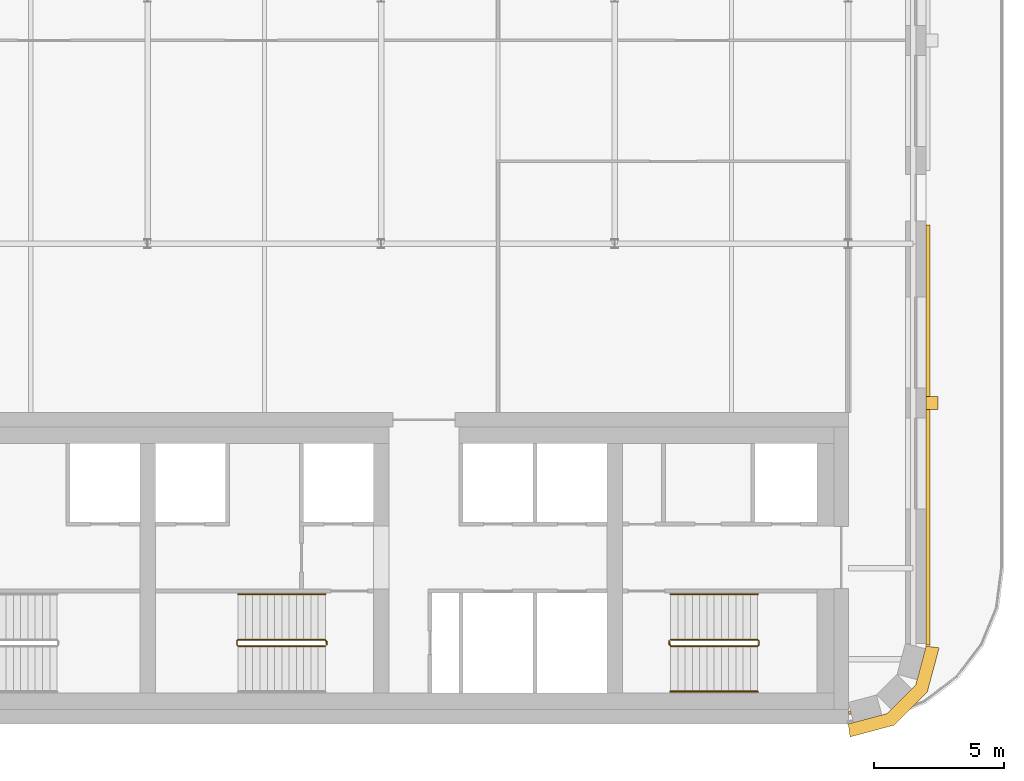
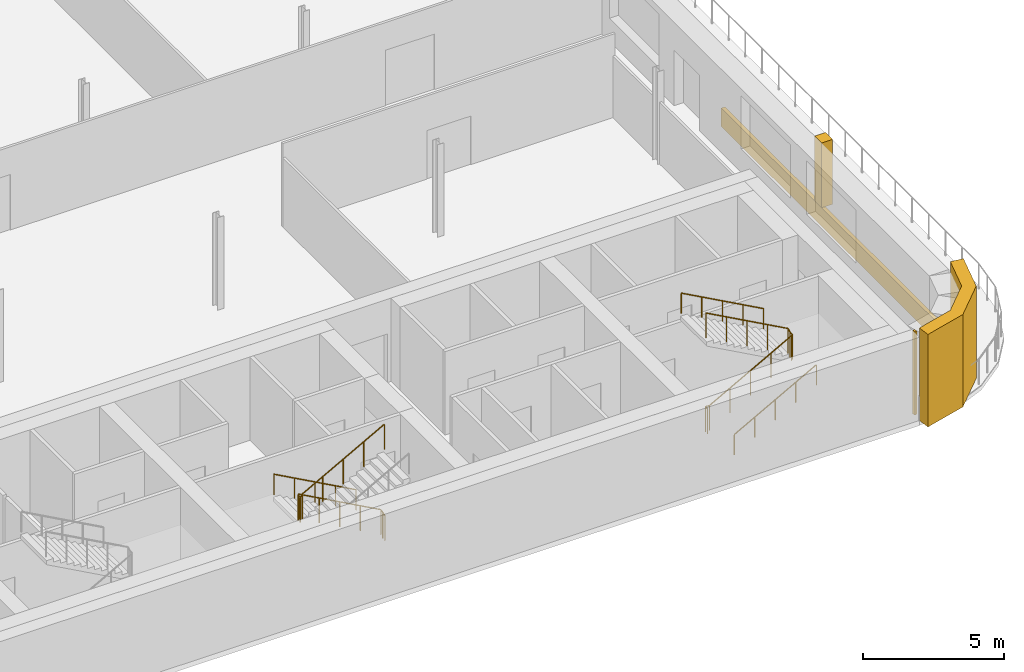
# One storey, part 12 of 13: 5 railings, 4 coverings.
"""IFC4 building model written with IfcOpenShell, lengths in metres."""

from ifc_helpers import new_model, si_unit, direction, frame, origin, origin_2d, place, context, subcontext, project, spatial, polyline, rectangle, circle, outline, extrude, material, layer, layer_set, type_object, element, save


model = new_model("IFC4")

# Units and contexts
model_context = context("Model", 3, precision=1e-05, world=origin(), true_north=direction((0.0, 1.0)))
body_context = subcontext(model_context, "Body", "Model", "MODEL_VIEW")
ifc_project = project(units=[si_unit("LENGTHUNIT", "METRE"), si_unit("AREAUNIT", "SQUARE_METRE"), si_unit("VOLUMEUNIT", "CUBIC_METRE"), si_unit("PLANEANGLEUNIT", "RADIAN"), si_unit("MASSUNIT", "GRAM", prefix="KILO")], contexts=[model_context])

# Site, building, storey
site_placement = place(None, origin())
site = spatial("IfcSite", under=ifc_project, at=site_placement, CompositionType="ELEMENT")
building_placement = place(site_placement, origin())
building = spatial("IfcBuilding", under=site, at=building_placement, Name="Zellij Exchange Tower", CompositionType="ELEMENT")
storey_placement = place(building_placement, frame((0.0, 0.0, 292.5)))
storey = spatial("IfcBuildingStorey", under=building, at=storey_placement, Name="L69", CompositionType="ELEMENT", Elevation=292.5)

# Railings
ifc_material_1 = material(Name="Stainless steel", Category="steel")
railing_type_1 = type_object("IfcRailingType", Name="CORE-RG stair guard", PredefinedType="GUARDRAIL", material=ifc_material_1)
railing_1_placement = place(storey_placement, frame((6.89990234375, -10.800048828125, 0.0)))
element("IfcRailing", 1, at=railing_1_placement, inside=storey, type_object=railing_type_1, Name="ST3 stair guard L69", PredefinedType="GUARDRAIL", context=body_context, shape_type="SweptSolid", body=[
    extrude(circle(Radius=0.02392578125, at=origin_2d()), frame((0.0, 0.0, 1.076171875), z_axis=(0.0, -1.0, 0.0), x_axis=(1.0, 0.0, 0.0)), (0.0, 0.0, 1.0), 0.14990234375),
    extrude(circle(Radius=0.02392578125, at=origin_2d()), frame((0.0, -0.14990234375, 1.076171875), z_axis=(-0.193691321961, 0.777613689637, 0.598164376644), x_axis=(-0.970351222016, -0.241699205484, 0.0)), (0.0, 0.0, 1.0), 0.257080078125),
    extrude(circle(Radius=0.02392578125, at=origin_2d()), frame((-0.0498046875, 0.050048828125, 1.22998046875), z_axis=(-0.876421534553, 0.0, 0.481544695509), x_axis=(0.0, -1.0, 0.0)), (0.0, 0.0, 1.0), 3.833984375),
    extrude(circle(Radius=0.02392578125, at=origin_2d()), frame((-3.409912109375, 0.050048828125, 3.076171875), z_axis=(-0.707106781187, -0.707106781187, 0.0), x_axis=(0.707106781187, -0.707106781187, 0.0)), (0.0, 0.0, 1.0), 0.07080078125),
    extrude(circle(Radius=0.02392578125, at=origin_2d()), frame((-3.4599609375, 0.0, 3.076171875), z_axis=(0.0, -1.0, 0.0), x_axis=(1.0, 0.0, 0.0)), (0.0, 0.0, 1.0), 0.14990234375),
    extrude(circle(Radius=0.02392578125, at=origin_2d()), frame((-3.4599609375, -0.14990234375, 3.076171875), z_axis=(0.295599637079, -0.295599637079, 0.908428152975), x_axis=(0.707106781187, 0.707106781187, 0.0)), (0.0, 0.0, 1.0), 0.16943359375),
    extrude(circle(Radius=0.02392578125, at=origin_2d()), frame((-3.409912109375, -0.199951171875, 3.22998046875), z_axis=(0.876421534553, 0.0, 0.481544695509), x_axis=(0.0, 1.0, 0.0)), (0.0, 0.0, 1.0), 3.833984375),
    extrude(circle(Radius=0.02099609375, at=origin_2d()), origin(), (0.0, 0.0, 1.0), 1.052001953125),
    extrude(circle(Radius=0.02099609375, at=origin_2d()), frame((0.0, -0.14990234375, 0.0)), (0.0, 0.0, 1.0), 1.052001953125),
    extrude(circle(Radius=0.02099609375, at=origin_2d()), frame((-0.0498046875, 0.050048828125, 0.15380859375)), (0.0, 0.0, 1.0), 1.052001953125),
    extrude(circle(Radius=0.02099609375, at=origin_2d()), frame((-0.889892578125, 0.050048828125, 0.615234375)), (0.0, 0.0, 1.0), 1.052001953125),
    extrude(circle(Radius=0.02099609375, at=origin_2d()), frame((-1.72998046875, 0.050048828125, 1.076904296875)), (0.0, 0.0, 1.0), 1.052001953125),
    extrude(circle(Radius=0.02099609375, at=origin_2d()), frame((-2.56982421875, 0.050048828125, 1.53857421875)), (0.0, 0.0, 1.0), 1.052001953125),
    extrude(circle(Radius=0.02099609375, at=origin_2d()), frame((-3.409912109375, 0.050048828125, 2.0)), (0.0, 0.0, 1.0), 1.052001953125),
    extrude(circle(Radius=0.02099609375, at=origin_2d()), frame((-3.4599609375, 0.0, 2.0)), (0.0, 0.0, 1.0), 1.052001953125),
    extrude(circle(Radius=0.02099609375, at=origin_2d()), frame((-3.4599609375, -0.14990234375, 2.0)), (0.0, 0.0, 1.0), 1.052001953125),
    extrude(circle(Radius=0.02099609375, at=origin_2d()), frame((-3.409912109375, -0.199951171875, 2.15380859375)), (0.0, 0.0, 1.0), 1.052001953125),
    extrude(circle(Radius=0.02099609375, at=origin_2d()), frame((-2.56982421875, -0.199951171875, 2.615234375)), (0.0, 0.0, 1.0), 1.052001953125),
    extrude(circle(Radius=0.02099609375, at=origin_2d()), frame((-1.72998046875, -0.199951171875, 3.076904296875)), (0.0, 0.0, 1.0), 1.052001953125),
    extrude(circle(Radius=0.02099609375, at=origin_2d()), frame((-0.889892578125, -0.199951171875, 3.53857421875)), (0.0, 0.0, 1.0), 1.052001953125),
    extrude(circle(Radius=0.02099609375, at=origin_2d()), frame((-0.0498046875, -0.199951171875, 4.0)), (0.0, 0.0, 1.0), 1.052001953125),
])
railing_2_placement = place(storey_placement, frame((20.10009765625, -10.949951171875, 0.0)))
element("IfcRailing", 2, at=railing_2_placement, inside=storey, type_object=railing_type_1, Name="ST4 stair guard L69", PredefinedType="GUARDRAIL", context=body_context, shape_type="SweptSolid", body=[
    extrude(circle(Radius=0.02392578125, at=origin_2d()), frame((0.0, 0.0, 1.076171875), z_axis=(0.0, 1.0, 0.0), x_axis=(-1.0, 0.0, 0.0)), (0.0, 0.0, 1.0), 0.14990234375),
    extrude(circle(Radius=0.02392578125, at=origin_2d()), frame((0.0, 0.14990234375, 1.076171875), z_axis=(0.193691321961, -0.777613689637, 0.598164376644), x_axis=(0.970351222016, 0.241699205484, 0.0)), (0.0, 0.0, 1.0), 0.257080078125),
    extrude(circle(Radius=0.02392578125, at=origin_2d()), frame((0.0498046875, -0.050048828125, 1.22998046875), z_axis=(0.876421534553, 0.0, 0.481544695509), x_axis=(0.0, 1.0, 0.0)), (0.0, 0.0, 1.0), 3.833984375),
    extrude(circle(Radius=0.02392578125, at=origin_2d()), frame((3.409912109375, -0.050048828125, 3.076171875), z_axis=(0.707106781187, 0.707106781187, 0.0), x_axis=(-0.707106781187, 0.707106781187, 0.0)), (0.0, 0.0, 1.0), 0.07080078125),
    extrude(circle(Radius=0.02392578125, at=origin_2d()), frame((3.4599609375, 0.0, 3.076171875), z_axis=(0.0, 1.0, 0.0), x_axis=(-1.0, 0.0, 0.0)), (0.0, 0.0, 1.0), 0.14990234375),
    extrude(circle(Radius=0.02392578125, at=origin_2d()), frame((3.4599609375, 0.14990234375, 3.076171875), z_axis=(-0.295599637079, 0.295599637079, 0.908428152975), x_axis=(-0.707106781187, -0.707106781187, 0.0)), (0.0, 0.0, 1.0), 0.16943359375),
    extrude(circle(Radius=0.02392578125, at=origin_2d()), frame((3.409912109375, 0.199951171875, 3.22998046875), z_axis=(-0.876421534553, 0.0, 0.481544695509), x_axis=(0.0, -1.0, 0.0)), (0.0, 0.0, 1.0), 3.833984375),
    extrude(circle(Radius=0.02099609375, at=origin_2d()), origin(), (0.0, 0.0, 1.0), 1.052001953125),
    extrude(circle(Radius=0.02099609375, at=origin_2d()), frame((0.0, 0.14990234375, 0.0)), (0.0, 0.0, 1.0), 1.052001953125),
    extrude(circle(Radius=0.02099609375, at=origin_2d()), frame((0.0498046875, -0.050048828125, 0.15380859375)), (0.0, 0.0, 1.0), 1.052001953125),
    extrude(circle(Radius=0.02099609375, at=origin_2d()), frame((0.889892578125, -0.050048828125, 0.615234375)), (0.0, 0.0, 1.0), 1.052001953125),
    extrude(circle(Radius=0.02099609375, at=origin_2d()), frame((1.72998046875, -0.050048828125, 1.076904296875)), (0.0, 0.0, 1.0), 1.052001953125),
    extrude(circle(Radius=0.02099609375, at=origin_2d()), frame((2.56982421875, -0.050048828125, 1.53857421875)), (0.0, 0.0, 1.0), 1.052001953125),
    extrude(circle(Radius=0.02099609375, at=origin_2d()), frame((3.409912109375, -0.050048828125, 2.0)), (0.0, 0.0, 1.0), 1.052001953125),
    extrude(circle(Radius=0.02099609375, at=origin_2d()), frame((3.4599609375, 0.0, 2.0)), (0.0, 0.0, 1.0), 1.052001953125),
    extrude(circle(Radius=0.02099609375, at=origin_2d()), frame((3.4599609375, 0.14990234375, 2.0)), (0.0, 0.0, 1.0), 1.052001953125),
    extrude(circle(Radius=0.02099609375, at=origin_2d()), frame((3.409912109375, 0.199951171875, 2.15380859375)), (0.0, 0.0, 1.0), 1.052001953125),
    extrude(circle(Radius=0.02099609375, at=origin_2d()), frame((2.56982421875, 0.199951171875, 2.615234375)), (0.0, 0.0, 1.0), 1.052001953125),
    extrude(circle(Radius=0.02099609375, at=origin_2d()), frame((1.72998046875, 0.199951171875, 3.076904296875)), (0.0, 0.0, 1.0), 1.052001953125),
    extrude(circle(Radius=0.02099609375, at=origin_2d()), frame((0.889892578125, 0.199951171875, 3.53857421875)), (0.0, 0.0, 1.0), 1.052001953125),
    extrude(circle(Radius=0.02099609375, at=origin_2d()), frame((0.0498046875, 0.199951171875, 4.0)), (0.0, 0.0, 1.0), 1.052001953125),
])
railing_type_2 = type_object("IfcRailingType", Name="CORE-RH stair handrail", PredefinedType="HANDRAIL", material=ifc_material_1)
railing_3_placement = place(storey_placement, frame((6.85009765625, -9.0, 0.15380859375)))
element("IfcRailing", 3, at=railing_3_placement, inside=storey, type_object=railing_type_2, Name="ST3 stair handrail L69", PredefinedType="HANDRAIL", context=body_context, shape_type="SweptSolid", body=[
    extrude(circle(Radius=0.02392578125, at=origin_2d()), frame((0.0, 0.0, 0.8759765625), z_axis=(-0.876421534553, 0.0, 0.481544695509), x_axis=(0.0, -1.0, 0.0)), (0.0, 0.0, 1.0), 3.833984375),
    extrude(circle(Radius=0.02099609375, at=origin_2d()), origin(), (0.0, 0.0, 1.0), 0.851806640625),
    extrude(circle(Radius=0.02099609375, at=origin_2d()), frame((-0.840087890625, 0.0, 0.46142578125)), (0.0, 0.0, 1.0), 0.851806640625),
    extrude(circle(Radius=0.02099609375, at=origin_2d()), frame((-1.68017578125, 0.0, 0.923095703125)), (0.0, 0.0, 1.0), 0.851806640625),
    extrude(circle(Radius=0.02099609375, at=origin_2d()), frame((-2.52001953125, 0.0, 1.384765625)), (0.0, 0.0, 1.0), 0.851806640625),
    extrude(circle(Radius=0.02099609375, at=origin_2d()), frame((-3.360107421875, 0.0, 1.84619140625)), (0.0, 0.0, 1.0), 0.851806640625),
])
railing_4_placement = place(storey_placement, frame((20.14990234375, -12.75, 0.15380859375)))
element("IfcRailing", 4, at=railing_4_placement, inside=storey, type_object=railing_type_2, Name="ST4 stair handrail L69", PredefinedType="HANDRAIL", context=body_context, shape_type="SweptSolid", body=[
    extrude(circle(Radius=0.02392578125, at=origin_2d()), frame((0.0, 0.0, 0.8759765625), z_axis=(0.876421534553, 0.0, 0.481544695509), x_axis=(0.0, 1.0, 0.0)), (0.0, 0.0, 1.0), 3.833984375),
    extrude(circle(Radius=0.02099609375, at=origin_2d()), origin(), (0.0, 0.0, 1.0), 0.851806640625),
    extrude(circle(Radius=0.02099609375, at=origin_2d()), frame((0.840087890625, 0.0, 0.46142578125)), (0.0, 0.0, 1.0), 0.851806640625),
    extrude(circle(Radius=0.02099609375, at=origin_2d()), frame((1.68017578125, 0.0, 0.923095703125)), (0.0, 0.0, 1.0), 0.851806640625),
    extrude(circle(Radius=0.02099609375, at=origin_2d()), frame((2.52001953125, 0.0, 1.384765625)), (0.0, 0.0, 1.0), 0.851806640625),
    extrude(circle(Radius=0.02099609375, at=origin_2d()), frame((3.360107421875, 0.0, 1.84619140625)), (0.0, 0.0, 1.0), 0.851806640625),
])
railing_5_placement = place(storey_placement, frame((23.510009765625, -9.0, 2.15380859375)))
element("IfcRailing", 5, at=railing_5_placement, inside=storey, type_object=railing_type_2, Name="ST4 stair handrail L69", PredefinedType="HANDRAIL", context=body_context, shape_type="SweptSolid", body=[
    extrude(circle(Radius=0.02392578125, at=origin_2d()), frame((0.0, 0.0, 0.8759765625), z_axis=(-0.876421534553, 0.0, 0.481544695509), x_axis=(0.0, -1.0, 0.0)), (0.0, 0.0, 1.0), 3.833984375),
    extrude(circle(Radius=0.02099609375, at=origin_2d()), origin(), (0.0, 0.0, 1.0), 0.851806640625),
    extrude(circle(Radius=0.02099609375, at=origin_2d()), frame((-0.840087890625, 0.0, 0.46142578125)), (0.0, 0.0, 1.0), 0.851806640625),
    extrude(circle(Radius=0.02099609375, at=origin_2d()), frame((-1.68017578125, 0.0, 0.923095703125)), (0.0, 0.0, 1.0), 0.851806640625),
    extrude(circle(Radius=0.02099609375, at=origin_2d()), frame((-2.52001953125, 0.0, 1.384765625)), (0.0, 0.0, 1.0), 0.851806640625),
    extrude(circle(Radius=0.02099609375, at=origin_2d()), frame((-3.360107421875, 0.0, 1.84619140625)), (0.0, 0.0, 1.0), 0.851806640625),
])

# Coverings
ifc_material_2 = material(Name="Limestone cladding", Category="masonry")
ifc_layer_1 = layer(ifc_material_2, 0.14990234375)
ifc_layer_set_1 = layer_set([ifc_layer_1], Name="Limestone cladding")
covering_type_1 = type_object("IfcCoveringType", Name="ENV-CV1 Stone spandrel band 150", PredefinedType="CLADDING", material=ifc_layer_set_1)
covering_1_placement = place(storey_placement, origin())
element("IfcCovering", 6, at=covering_1_placement, inside=storey, type_object=covering_type_1, Name="Stone spandrel band", PredefinedType="CLADDING", context=body_context, shape_type="SweptSolid", body=[
    extrude(outline(polyline([(30.0, -10.947265625), (30.0, 5.234375), (30.14990234375, 5.234375), (30.14990234375, -10.967041015625), (30.0, -10.947265625)])), origin(), (0.0, 0.0, 1.0), 0.800048828125),
])
ifc_layer_2 = layer(ifc_material_2, 0.5)
ifc_layer_set_2 = layer_set([ifc_layer_2], Name="Limestone cladding")
covering_type_2 = type_object("IfcCoveringType", Name="ENV-CV12 Stone corner pier 500", PredefinedType="CLADDING", material=ifc_layer_set_2)
covering_2_placement = place(storey_placement, origin())
element("IfcCovering", 7, at=covering_2_placement, inside=storey, type_object=covering_type_2, Name="Stone corner pier", PredefinedType="CLADDING", context=body_context, shape_type="SweptSolid", body=[
    extrude(outline(polyline([(27.0, -14.0), (28.5, -13.59814453125), (29.59814453125, -12.5), (30.0, -11.0), (30.5, -11.06591796875), (30.04638671875, -12.7587890625), (28.7587890625, -14.04638671875), (27.06591796875, -14.5), (27.0, -14.0)])), origin(), (0.0, 0.0, 1.0), 4.0),
])
ifc_layer_3 = layer(ifc_material_2, 0.1201171875)
ifc_layer_set_3 = layer_set([ifc_layer_3], Name="Limestone cladding")
covering_type_3 = type_object("IfcCoveringType", Name="ENV-CV18 Glazing closer 120", PredefinedType="CLADDING", material=ifc_layer_set_3)
covering_3_placement = place(storey_placement, frame((27.06005859375, -13.56982421875, 0.0), z_axis=(0.0, 0.0, 1.0), x_axis=(-0.965929439991, -0.258805558208, 0.0)))
element("IfcCovering", 8, at=covering_3_placement, inside=storey, type_object=covering_type_3, Name="Glazing closer", PredefinedType="CLADDING", context=body_context, shape_type="SweptSolid", body=[
    extrude(rectangle(XDim=0.092041015625, YDim=0.1201171875, at=origin_2d()), origin(), (0.0, 0.0, 1.0), 3.60009765625),
])
covering_type_4 = type_object("IfcCoveringType", Name="ENV-CV4 Stone pier 500x450", PredefinedType="CLADDING", material=ifc_material_2)
covering_4_placement = place(storey_placement, frame((0.0, 0.0, 0.800048828125)))
element("IfcCovering", 9, at=covering_4_placement, inside=storey, type_object=covering_type_4, Name="Stone pier", PredefinedType="CLADDING", context=body_context, shape_type="SweptSolid", body=[
    extrude(outline(polyline([(30.0, -1.881591796875), (30.0, -1.381591796875), (30.449951171875, -1.381591796875), (30.449951171875, -1.881591796875), (30.0, -1.881591796875)])), origin(), (0.0, 0.0, 1.0), 2.800048828125),
])

save(model, "model.ifc")
